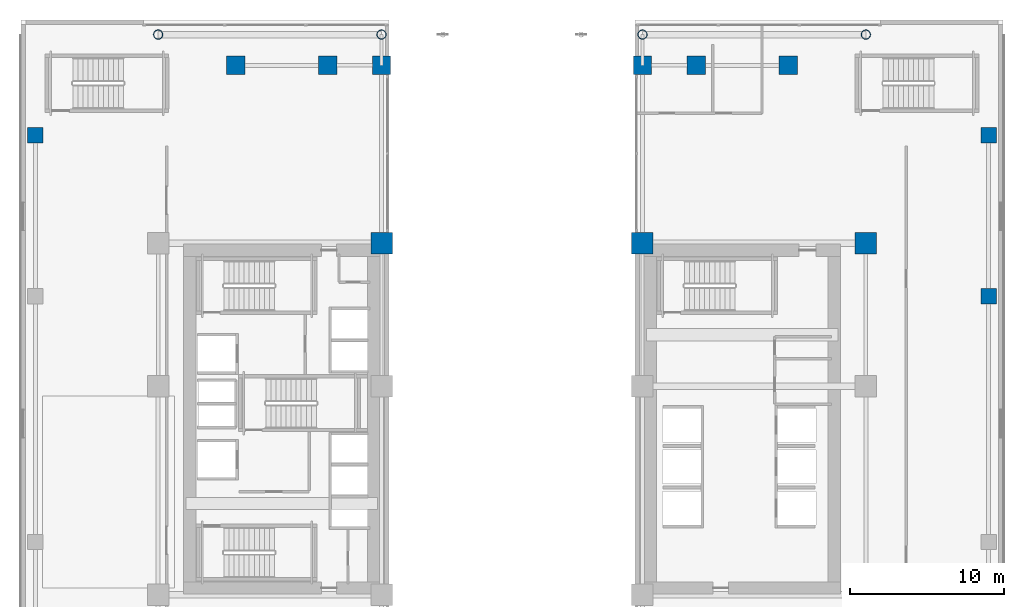
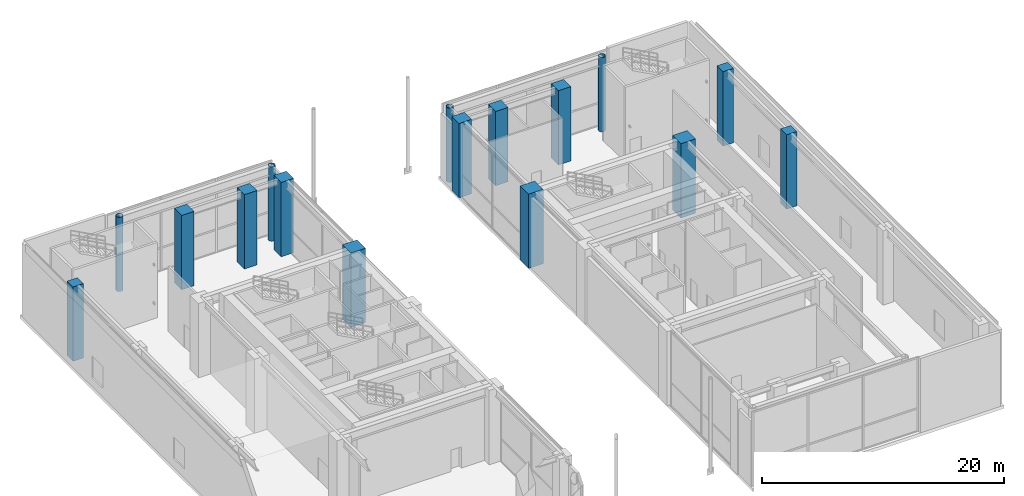
# One storey, part 2 of 29: 16 columns.
"""IFC4 building model written with IfcOpenShell, lengths in metres."""

from ifc_helpers import new_model, si_unit, direction, frame, origin, origin_2d, place, context, subcontext, project, spatial, rectangle, hollow_circle, extrude, source, transform, mapped, material, material_profile, profile_set, type_object, element, save


model = new_model("IFC4")

# Units and contexts
model_context = context("Model", 3, precision=1e-05, world=origin(), true_north=direction((0.0, 1.0)))
body_context = subcontext(model_context, "Body", "Model", "MODEL_VIEW")
ifc_project = project(units=[si_unit("LENGTHUNIT", "METRE"), si_unit("AREAUNIT", "SQUARE_METRE"), si_unit("VOLUMEUNIT", "CUBIC_METRE"), si_unit("PLANEANGLEUNIT", "RADIAN"), si_unit("MASSUNIT", "GRAM", prefix="KILO")], contexts=[model_context])

# Site, building, storey
site_placement = place(None, origin())
site = spatial("IfcSite", under=ifc_project, at=site_placement, CompositionType="ELEMENT")
building_placement = place(site_placement, origin())
building = spatial("IfcBuilding", under=site, at=building_placement, Name="Ocotamira Hotel", CompositionType="ELEMENT")
storey_placement = place(building_placement, frame((0.0, 0.0, 11.39990234375)))
storey = spatial("IfcBuildingStorey", under=building, at=storey_placement, Name="L03", CompositionType="ELEMENT", Elevation=11.39990234375)

# Columns
ifc_material_1 = material(Name="Concrete C50/60", Category="concrete")
ifc_material_profile_1 = material_profile(ifc_material_1, rectangle(XDim=1.0, YDim=1.0, at=origin_2d()), Name="RC1000X1000")
ifc_profile_set_1 = profile_set([ifc_material_profile_1], Name="Concrete C50/60")
column_type_1 = type_object("IfcColumnType", Name="COL-RC1000", PredefinedType="COLUMN", material=ifc_profile_set_1)
shared_shape_1 = source(origin(), body_context, "Body", "SweptSolid", [
    extrude(rectangle(XDim=1.0, YDim=1.0, at=origin_2d()), origin(), (0.0, 0.0, 1.0), 7.510009765625),
])
for number, where, z_axis, x_axis, name in (
    (1, (63.050048828125, 34.0, 0.0), (0.0, 0.0, 1.0), (1.0, 0.0, 0.0), "L03 Column PE3"),
    (2, (0.949951171875, 44.5, 0.0), (0.0, 0.0, 1.0), (1.0, 0.0, 0.0), "L03 Column PW4"),
    (3, (63.050048828125, 44.5, 0.0), (0.0, 0.0, 1.0), (1.0, 0.0, 0.0), "L03 Column PE4"),
):
    element("IfcColumn", number, at=place(storey_placement, frame(where, z_axis=z_axis, x_axis=x_axis)), inside=storey, type_object=column_type_1, Name=name, PredefinedType="COLUMN", context=body_context, shape_type="MappedRepresentation", body=[
        mapped(shared_shape_1, transform((0.0, 0.0, 0.0), scale=1.0)),
    ])
ifc_material_2 = material(Name="Steel ASTM A501 Grade B", Category="steel")
ifc_material_profile_2 = material_profile(ifc_material_2, hollow_circle(Radius=0.304931640625, WallThickness=0.02490234375, at=origin_2d()), Name="CHS610X25")
ifc_profile_set_2 = profile_set([ifc_material_profile_2], Name="Steel ASTM A501 Grade B")
column_type_2 = type_object("IfcColumnType", Name="COL-CHS610", PredefinedType="COLUMN", material=ifc_profile_set_2)
shared_shape_2 = source(origin(), body_context, "Body", "SweptSolid", [
    extrude(hollow_circle(Radius=0.304931640625, WallThickness=0.02490234375, at=origin_2d()), origin(), (0.0, 0.0, 1.0), 7.510009765625),
])
for number, where, z_axis, x_axis, name in (
    (4, (8.949951171875, 51.050048828125, 0.0), (0.0, 0.0, 1.0), (1.0, 0.0, 0.0), "L03 Column PS2_1"),
    (5, (23.5, 51.050048828125, 0.0), (0.0, 0.0, 1.0), (1.0, 0.0, 0.0), "L03 Column PS2_2"),
    (6, (40.5, 51.050048828125, 0.0), (0.0, 0.0, 1.0), (1.0, 0.0, 0.0), "L03 Column PS2_3"),
    (7, (55.050048828125, 51.050048828125, 0.0), (0.0, 0.0, 1.0), (1.0, 0.0, 0.0), "L03 Column PS2_4"),
):
    element("IfcColumn", number, at=place(storey_placement, frame(where, z_axis=z_axis, x_axis=x_axis)), inside=storey, type_object=column_type_2, Name=name, PredefinedType="COLUMN", context=body_context, shape_type="MappedRepresentation", body=[
        mapped(shared_shape_2, transform((0.0, 0.0, 0.0), scale=1.0)),
    ])
ifc_material_3 = material(Name="Concrete C60/75", Category="concrete")
ifc_material_profile_3 = material_profile(ifc_material_3, rectangle(XDim=1.39990234375, YDim=1.39990234375, at=origin_2d()), Name="RC1400X1400")
ifc_profile_set_3 = profile_set([ifc_material_profile_3], Name="Concrete C60/75")
column_type_3 = type_object("IfcColumnType", Name="COL-RC1400", PredefinedType="COLUMN", material=ifc_profile_set_3)
shared_shape_3 = source(origin(), body_context, "Body", "SweptSolid", [
    extrude(rectangle(XDim=1.39990234375, YDim=1.39990234375, at=origin_2d()), origin(), (0.0, 0.0, 1.0), 7.510009765625),
])
for number, where, z_axis, x_axis, name in (
    (8, (23.5, 37.449951171875, 0.0), (0.0, 0.0, 1.0), (1.0, 0.0, 0.0), "L03 Column TW23_37"),
    (9, (40.5, 37.449951171875, 0.0), (0.0, 0.0, 1.0), (1.0, 0.0, 0.0), "L03 Column TE40_37"),
    (10, (55.050048828125, 37.449951171875, 0.0), (0.0, 0.0, 1.0), (1.0, 0.0, 0.0), "L03 Column TE55_37"),
):
    element("IfcColumn", number, at=place(storey_placement, frame(where, z_axis=z_axis, x_axis=x_axis)), inside=storey, type_object=column_type_3, Name=name, PredefinedType="COLUMN", context=body_context, shape_type="MappedRepresentation", body=[
        mapped(shared_shape_3, transform((0.0, 0.0, 0.0), scale=1.0)),
    ])
ifc_material_profile_4 = material_profile(ifc_material_3, rectangle(XDim=1.199951171875, YDim=1.199951171875, at=origin_2d()), Name="RC1200X1200")
ifc_profile_set_4 = profile_set([ifc_material_profile_4], Name="Concrete C60/75")
column_type_4 = type_object("IfcColumnType", Name="COL-RC1200", PredefinedType="COLUMN", material=ifc_profile_set_4)
shared_shape_4 = source(origin(), body_context, "Body", "SweptSolid", [
    extrude(rectangle(XDim=1.199951171875, YDim=1.199951171875, at=origin_2d()), origin(), (0.0, 0.0, 1.0), 7.510009765625),
])
for number, where, z_axis, x_axis, name in (
    (11, (14.0, 49.050048828125, 0.0), (0.0, 0.0, 1.0), (1.0, 0.0, 0.0), "L03 Column NSP2_14"),
    (12, (20.0, 49.050048828125, 0.0), (0.0, 0.0, 1.0), (1.0, 0.0, 0.0), "L03 Column NSP2_20"),
    (13, (23.5, 49.050048828125, 0.0), (0.0, 0.0, 1.0), (1.0, 0.0, 0.0), "L03 Column NSP2_23"),
    (14, (40.5, 49.050048828125, 0.0), (0.0, 0.0, 1.0), (1.0, 0.0, 0.0), "L03 Column NSP2_40"),
    (15, (44.0, 49.050048828125, 0.0), (0.0, 0.0, 1.0), (1.0, 0.0, 0.0), "L03 Column NSP2_44"),
    (16, (50.0, 49.050048828125, 0.0), (0.0, 0.0, 1.0), (1.0, 0.0, 0.0), "L03 Column NSP2_50"),
):
    element("IfcColumn", number, at=place(storey_placement, frame(where, z_axis=z_axis, x_axis=x_axis)), inside=storey, type_object=column_type_4, Name=name, PredefinedType="COLUMN", context=body_context, shape_type="MappedRepresentation", body=[
        mapped(shared_shape_4, transform((0.0, 0.0, 0.0), scale=1.0)),
    ])

save(model, "model.ifc")
